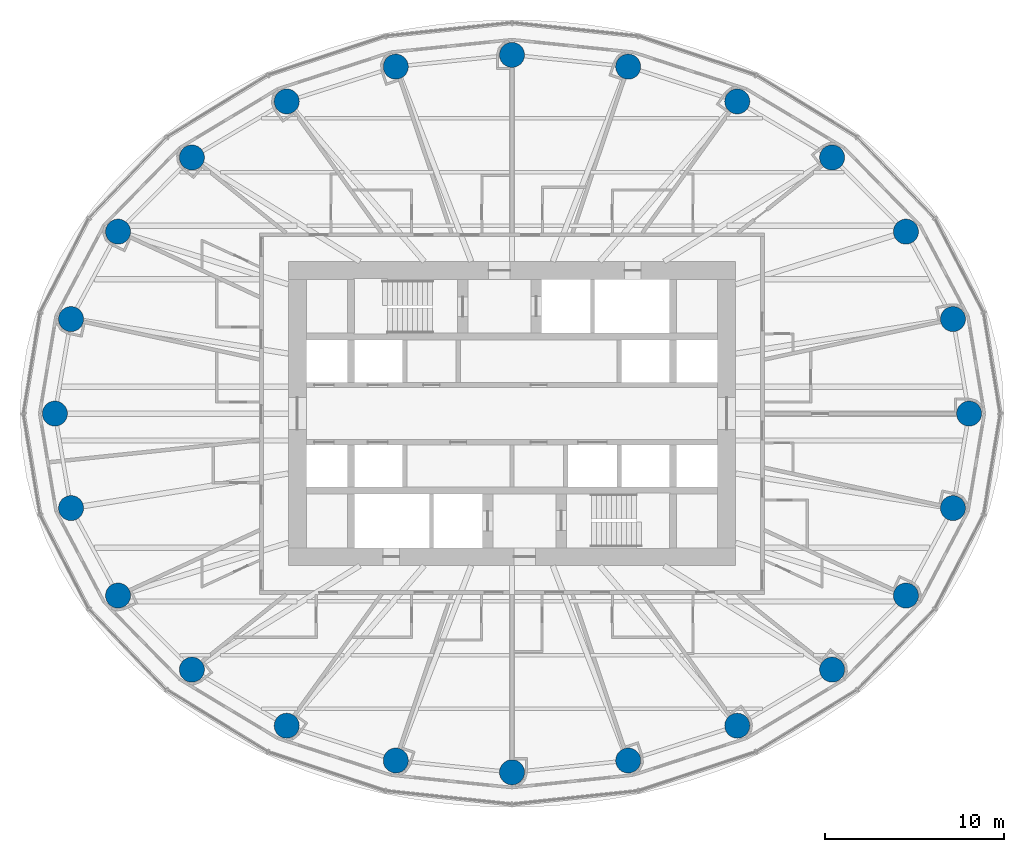
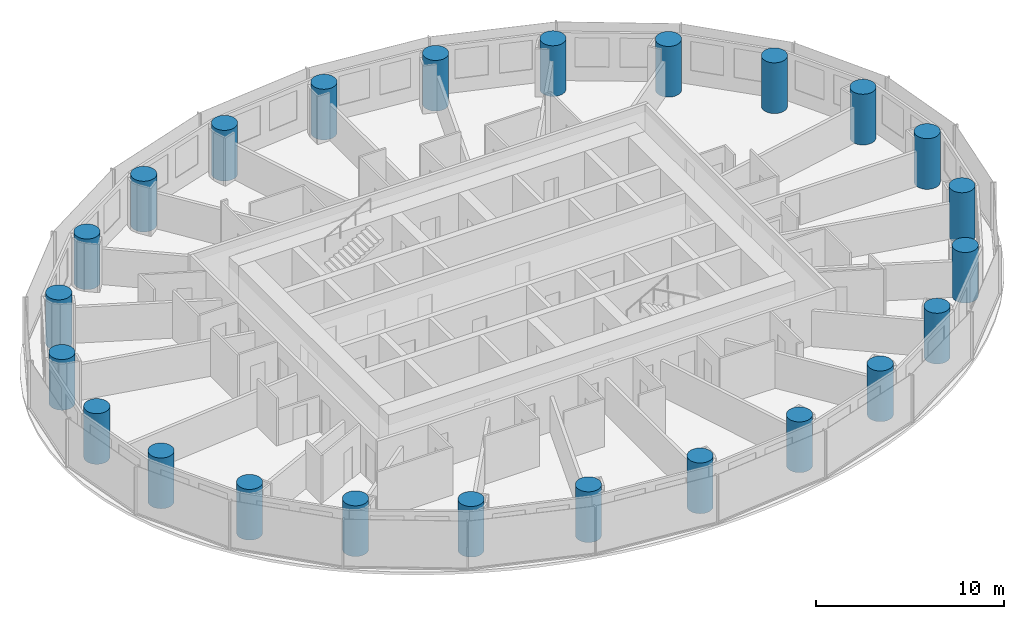
# One storey, part 1 of 14: 24 columns.
"""IFC4 building model written with IfcOpenShell, lengths in metres."""

from ifc_helpers import new_model, si_unit, direction, frame, origin, origin_2d, place, context, subcontext, project, spatial, circle, extrude, material, material_profile, profile_set, type_object, element, save


model = new_model("IFC4")

# Units and contexts
model_context = context("Model", 3, precision=1e-05, world=origin(), true_north=direction((0.0, 1.0)))
body_context = subcontext(model_context, "Body", "Model", "MODEL_VIEW")
ifc_project = project(units=[si_unit("LENGTHUNIT", "METRE"), si_unit("AREAUNIT", "SQUARE_METRE"), si_unit("VOLUMEUNIT", "CUBIC_METRE"), si_unit("PLANEANGLEUNIT", "RADIAN"), si_unit("MASSUNIT", "GRAM", prefix="KILO")], contexts=[model_context])

# Site, building, storey
site_placement = place(None, origin())
site = spatial("IfcSite", under=ifc_project, at=site_placement, CompositionType="ELEMENT")
building_placement = place(site_placement, origin())
building = spatial("IfcBuilding", under=site, at=building_placement, Name="Hankou Lantern Tower", CompositionType="ELEMENT")
storey_placement = place(building_placement, frame((0.0, 0.0, 63.89990234375)))
storey = spatial("IfcBuildingStorey", under=building, at=storey_placement, Name="L15", CompositionType="ELEMENT", Elevation=63.89990234375)

# Columns
ifc_material = material(Name="Concrete C60", Category="concrete")
ifc_material_profile = material_profile(ifc_material, circle(Radius=0.699951171875, at=origin_2d()), Name="RC D1400")
ifc_profile_set = profile_set([ifc_material_profile], Name="Concrete C60")
column_type = type_object("IfcColumnType", Name="TC2 PERIMETER COLUMN RC D1400", PredefinedType="COLUMN", material=ifc_profile_set)
for number, where, z_axis, x_axis, name in (
    (1, (25.550048828125, 0.0, 0.0), (0.0, 0.0, 1.0), (1.0, 0.0, 0.0), "Column R01 L15"),
    (2, (24.64697265625, 5.283203125, 0.0), (0.0, 0.0, 1.0), (1.0, 0.0, 0.0), "Column R02 L15"),
    (3, (22.01904296875, 10.170166015625, 0.0), (0.0, 0.0, 1.0), (1.0, 0.0, 0.0), "Column R03 L15"),
    (4, (17.891845703125, 14.3134765625, 0.0), (0.0, 0.0, 1.0), (1.0, 0.0, 0.0), "Column R04 L15"),
    (5, (12.5908203125, 17.446533203125, 0.0), (0.0, 0.0, 1.0), (1.0, 0.0, 0.0), "Column R05 L15"),
    (6, (6.494873046875, 19.391357421875, 0.0), (0.0, 0.0, 1.0), (1.0, 0.0, 0.0), "Column R06 L15"),
    (7, (0.0, 20.050048828125, 0.0), (0.0, 0.0, 1.0), (1.0, 0.0, 0.0), "Column R07 L15"),
    (8, (-6.494873046875, 19.391357421875, 0.0), (0.0, 0.0, 1.0), (1.0, 0.0, 0.0), "Column R08 L15"),
    (9, (-12.5908203125, 17.446533203125, 0.0), (0.0, 0.0, 1.0), (1.0, 0.0, 0.0), "Column R09 L15"),
    (10, (-17.891845703125, 14.3134765625, 0.0), (0.0, 0.0, 1.0), (1.0, 0.0, 0.0), "Column R10 L15"),
    (11, (-22.01904296875, 10.170166015625, 0.0), (0.0, 0.0, 1.0), (1.0, 0.0, 0.0), "Column R11 L15"),
    (12, (-24.64697265625, 5.283203125, 0.0), (0.0, 0.0, 1.0), (1.0, 0.0, 0.0), "Column R12 L15"),
    (13, (-25.550048828125, 0.0, 0.0), (0.0, 0.0, 1.0), (1.0, 0.0, 0.0), "Column R13 L15"),
    (14, (-24.64697265625, -5.283203125, 0.0), (0.0, 0.0, 1.0), (1.0, 0.0, 0.0), "Column R14 L15"),
    (15, (-22.01904296875, -10.170166015625, 0.0), (0.0, 0.0, 1.0), (1.0, 0.0, 0.0), "Column R15 L15"),
    (16, (-17.891845703125, -14.3134765625, 0.0), (0.0, 0.0, 1.0), (1.0, 0.0, 0.0), "Column R16 L15"),
    (17, (-12.5908203125, -17.446533203125, 0.0), (0.0, 0.0, 1.0), (1.0, 0.0, 0.0), "Column R17 L15"),
    (18, (-6.494873046875, -19.391357421875, 0.0), (0.0, 0.0, 1.0), (1.0, 0.0, 0.0), "Column R18 L15"),
    (19, (0.0, -20.050048828125, 0.0), (0.0, 0.0, 1.0), (1.0, 0.0, 0.0), "Column R19 L15"),
    (20, (6.494873046875, -19.391357421875, 0.0), (0.0, 0.0, 1.0), (1.0, 0.0, 0.0), "Column R20 L15"),
    (21, (12.5908203125, -17.446533203125, 0.0), (0.0, 0.0, 1.0), (1.0, 0.0, 0.0), "Column R21 L15"),
    (22, (17.891845703125, -14.3134765625, 0.0), (0.0, 0.0, 1.0), (1.0, 0.0, 0.0), "Column R22 L15"),
    (23, (22.01904296875, -10.170166015625, 0.0), (0.0, 0.0, 1.0), (1.0, 0.0, 0.0), "Column R23 L15"),
    (24, (24.64697265625, -5.283203125, 0.0), (0.0, 0.0, 1.0), (1.0, 0.0, 0.0), "Column R24 L15"),
):
    element("IfcColumn", number, at=place(storey_placement, frame(where, z_axis=z_axis, x_axis=x_axis)), inside=storey, type_object=column_type, Name=name, PredefinedType="COLUMN", context=body_context, shape_type="SweptSolid", body=[
        extrude(circle(Radius=0.699951171875, at=origin_2d()), origin(), (0.0, 0.0, 1.0), 3.300048828125),
    ])

save(model, "model.ifc")
